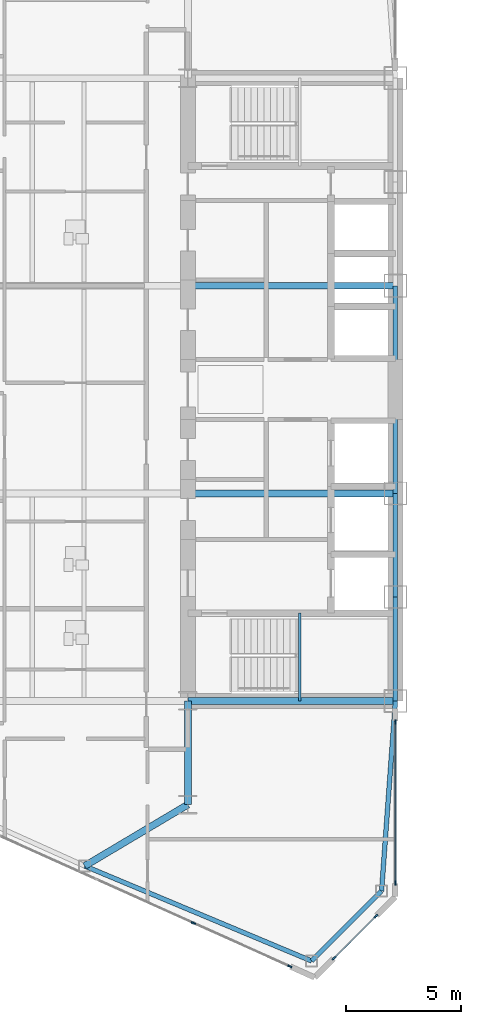
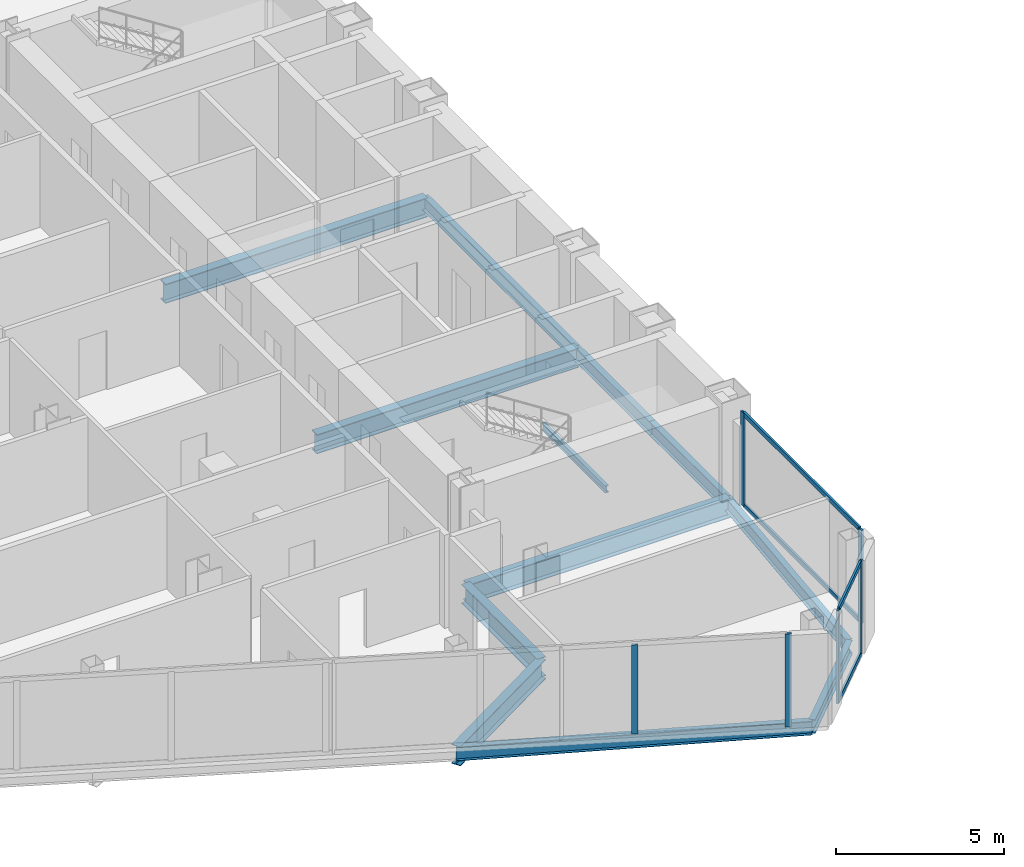
# One storey, part 6 of 27: 12 beams, 10 members, 3 elements without a shape of their own.
"""IFC4 building model written with IfcOpenShell, lengths in metres."""

from ifc_helpers import new_model, si_unit, direction, frame, origin, origin_2d, place, context, subcontext, project, spatial, rectangle, i_section, extrude, source, transform, mapped, material, layer, layer_set, material_profile, profile_set, type_object, type_shapes, element, aggregate, save


model = new_model("IFC4")

# Units and contexts
model_context = context("Model", 3, precision=1e-05, world=origin(), true_north=direction((0.0, 1.0)))
body_context = subcontext(model_context, "Body", "Model", "MODEL_VIEW")
ifc_project = project(units=[si_unit("LENGTHUNIT", "METRE"), si_unit("AREAUNIT", "SQUARE_METRE"), si_unit("VOLUMEUNIT", "CUBIC_METRE"), si_unit("PLANEANGLEUNIT", "RADIAN"), si_unit("MASSUNIT", "GRAM", prefix="KILO")], contexts=[model_context])

# Site, building, storey
site_placement = place(None, origin())
site = spatial("IfcSite", under=ifc_project, at=site_placement, CompositionType="ELEMENT")
building_placement = place(site_placement, origin())
building = spatial("IfcBuilding", under=site, at=building_placement, Name="Seokmaru Belvedere", CompositionType="ELEMENT")
storey_placement = place(building_placement, frame((0.0, 0.0, 72.89990234375)))
storey = spatial("IfcBuildingStorey", under=building, at=storey_placement, Name="L19", CompositionType="ELEMENT", Elevation=72.89990234375)

# Beams
ifc_material_1 = material(Name="Steel SM355 (355 MPa)", Category="steel")
ifc_material_profile_1 = material_profile(ifc_material_1, i_section(OverallWidth=0.199951171875, OverallDepth=0.5, WebThickness=0.010009765625, FlangeThickness=0.01611328125, at=origin_2d()), Name="H-500x200x10x16")
ifc_profile_set_1 = profile_set([ifc_material_profile_1], Name="Steel SM355 (355 MPa)")
beam_type_1 = type_object("IfcBeamType", Name="Perimeter Spandrel Beam H-500", PredefinedType="SPANDREL", material=ifc_profile_set_1)
shared_shape_1 = source(origin(), body_context, "Body", "SweptSolid", [
    extrude(i_section(OverallWidth=0.199951171875, OverallDepth=0.5, WebThickness=0.010009765625, FlangeThickness=0.01611328125, at=origin_2d()), origin(), (0.0, 0.0, 1.0), 4.5),
])
for number, where, z_axis, x_axis, name in (
    (1, (-27.5, -13.5, -0.469970703125), (0.0, 1.0, 0.0), (-1.0, 0.0, 0.0), "L19 W Portal Spine Spandrel 1"),
    (2, (-27.5, -9.0, -0.469970703125), (0.0, 1.0, 0.0), (-1.0, 0.0, 0.0), "L19 W Portal Spine Spandrel 2"),
):
    element("IfcBeam", number, at=place(storey_placement, frame(where, z_axis=z_axis, x_axis=x_axis)), inside=storey, type_object=beam_type_1, Name=name, PredefinedType="SPANDREL", context=body_context, shape_type="MappedRepresentation", body=[
        mapped(shared_shape_1, transform((0.0, 0.0, 0.0), scale=1.0)),
    ])
shared_shape_2 = source(origin(), body_context, "Body", "SweptSolid", [
    extrude(i_section(OverallWidth=0.199951171875, OverallDepth=0.5, WebThickness=0.010009765625, FlangeThickness=0.01611328125, at=origin_2d()), origin(), (0.0, 0.0, 1.0), 9.0),
])
beam_1_placement = place(storey_placement, frame((-27.5, -4.5, -0.469970703125), z_axis=(0.0, 1.0, 0.0), x_axis=(-1.0, 0.0, 0.0)))
element("IfcBeam", 3, at=beam_1_placement, inside=storey, type_object=beam_type_1, Name="L19 W Portal Spine Spandrel 3", PredefinedType="SPANDREL", context=body_context, shape_type="MappedRepresentation", body=[
    mapped(shared_shape_2, transform((0.0, 0.0, 0.0), scale=1.0)),
])
ifc_material_profile_2 = material_profile(ifc_material_1, i_section(OverallWidth=0.300048828125, OverallDepth=0.699951171875, WebThickness=0.012939453125, FlangeThickness=0.02392578125, at=origin_2d()), Name="H-700x300x13x24")
ifc_profile_set_2 = profile_set([ifc_material_profile_2], Name="Steel SM355 (355 MPa)")
beam_type_2 = type_object("IfcBeamType", Name="Primary Floor Girder H-700", PredefinedType="BEAM", material=ifc_profile_set_2)
shared_shape_3 = source(origin(), body_context, "Body", "SweptSolid", [
    extrude(i_section(OverallWidth=0.300048828125, OverallDepth=0.699951171875, WebThickness=0.012939453125, FlangeThickness=0.02392578125, at=origin_2d()), origin(), (0.0, 0.0, 1.0), 4.5),
])
beam_2_placement = place(storey_placement, frame((-36.5, -18.0, -0.56982421875), z_axis=(0.0, 1.0, 0.0), x_axis=(-1.0, 0.0, 0.0)))
element("IfcBeam", 4, at=beam_2_placement, inside=storey, type_object=beam_type_2, Name="L19 W Core Shoulder Girder S", PredefinedType="BEAM", context=body_context, shape_type="MappedRepresentation", body=[
    mapped(shared_shape_3, transform((0.0, 0.0, 0.0), scale=1.0)),
])
shared_shape_4 = source(origin(), body_context, "Body", "SweptSolid", [
    extrude(i_section(OverallWidth=0.300048828125, OverallDepth=0.699951171875, WebThickness=0.012939453125, FlangeThickness=0.02392578125, at=origin_2d()), origin(), (0.0, 0.0, 1.0), 9.0),
])
for number, where, z_axis, x_axis, name in (
    (5, (-36.5, -13.5, -0.56982421875), (1.0, 0.0, 0.0), (0.0, 1.0, 0.0), "L19 W Core Tie Girder 1"),
    (6, (-36.5, -4.5, -0.56982421875), (1.0, 0.0, 0.0), (0.0, 1.0, 0.0), "L19 W Core Tie Girder 2"),
    (7, (-36.5, 4.5, -0.56982421875), (1.0, 0.0, 0.0), (0.0, 1.0, 0.0), "L19 W Core Tie Girder 3"),
):
    element("IfcBeam", number, at=place(storey_placement, frame(where, z_axis=z_axis, x_axis=x_axis)), inside=storey, type_object=beam_type_2, Name=name, PredefinedType="BEAM", context=body_context, shape_type="MappedRepresentation", body=[
        mapped(shared_shape_4, transform((0.0, 0.0, 0.0), scale=1.0)),
    ])
shared_shape_5 = source(origin(), body_context, "Body", "SweptSolid", [
    extrude(i_section(OverallWidth=0.199951171875, OverallDepth=0.5, WebThickness=0.010009765625, FlangeThickness=0.01611328125, at=origin_2d()), origin(), (0.0, 0.0, 1.0), 10.66943359375),
])
beam_3_placement = place(storey_placement, frame((-31.13134765625, -24.782958984375, -0.469970703125), z_axis=(-0.922375393128, 0.386294750355, 0.0), x_axis=(-0.386294750355, -0.922375393128, 0.0)))
element("IfcBeam", 8, at=beam_3_placement, inside=storey, type_object=beam_type_1, Name="L19 W Faceted Flank Spandrel S-1", PredefinedType="SPANDREL", context=body_context, shape_type="MappedRepresentation", body=[
    mapped(shared_shape_5, transform((0.0, 0.0, 0.0), scale=1.0)),
])
shared_shape_6 = source(origin(), body_context, "Body", "SweptSolid", [
    extrude(i_section(OverallWidth=0.199951171875, OverallDepth=0.5, WebThickness=0.010009765625, FlangeThickness=0.01611328125, at=origin_2d()), origin(), (0.0, 0.0, 1.0), 4.287109375),
])
beam_4_placement = place(storey_placement, frame((-31.13134765625, -24.782958984375, -0.469970703125), z_axis=(0.707078306132, 0.707135255094, 0.0), x_axis=(-0.707135255094, 0.707078306132, 0.0)))
element("IfcBeam", 9, at=beam_4_placement, inside=storey, type_object=beam_type_1, Name="L19 W Shoulder Chamfer Spandrel S", PredefinedType="SPANDREL", context=body_context, shape_type="MappedRepresentation", body=[
    mapped(shared_shape_6, transform((0.0, 0.0, 0.0), scale=1.0)),
])
shared_shape_7 = source(origin(), body_context, "Body", "SweptSolid", [
    extrude(i_section(OverallWidth=0.199951171875, OverallDepth=0.5, WebThickness=0.010009765625, FlangeThickness=0.01611328125, at=origin_2d()), origin(), (0.0, 0.0, 1.0), 8.273193359375),
])
type_shapes(beam_type_1, [shared_shape_1, shared_shape_2, shared_shape_5, shared_shape_6, shared_shape_7])
beam_5_placement = place(storey_placement, frame((-28.10009765625, -21.75146484375, -0.469970703125), z_axis=(0.072534628348, 0.99736589459, 0.0), x_axis=(-0.99736589459, 0.072534628348, 0.0)))
element("IfcBeam", 10, at=beam_5_placement, inside=storey, type_object=beam_type_1, Name="L19 W Shoulder Spine Spandrel S", PredefinedType="SPANDREL", context=body_context, shape_type="MappedRepresentation", body=[
    mapped(shared_shape_7, transform((0.0, 0.0, 0.0), scale=1.0)),
])
shared_shape_8 = source(origin(), body_context, "Body", "SweptSolid", [
    extrude(i_section(OverallWidth=0.300048828125, OverallDepth=0.699951171875, WebThickness=0.012939453125, FlangeThickness=0.02392578125, at=origin_2d()), origin(), (0.0, 0.0, 1.0), 5.20458984375),
])
type_shapes(beam_type_2, [shared_shape_3, shared_shape_4, shared_shape_8])
beam_6_placement = place(storey_placement, frame((-40.97265625, -20.661376953125, -0.56982421875), z_axis=(0.859370434188, 0.511353553662, 0.0), x_axis=(-0.511353553662, 0.859370434188, 0.0)))
element("IfcBeam", 11, at=beam_6_placement, inside=storey, type_object=beam_type_2, Name="L19 W Flank Radial Floor Girder S-1", PredefinedType="BEAM", context=body_context, shape_type="MappedRepresentation", body=[
    mapped(shared_shape_8, transform((0.0, 0.0, 0.0), scale=1.0)),
])

# Curtain wall, members
ifc_material_2 = material(Name="Bronze Triple Insulating Glass", Category="glass")
ifc_layer = layer(ifc_material_2, 0.195068359375)
ifc_layer_set = layer_set([ifc_layer], Name="Bronze Triple Insulating Glass")
curtain_wall_type = type_object("IfcCurtainWallType", Name="Lower-Mid Tapered Curtain Wall System CW-3", PredefinedType="NOTDEFINED", material=ifc_layer_set)
curtain_wall_1_placement = place(storey_placement, origin())
curtain_wall_1 = element("IfcCurtainWall", 12, at=curtain_wall_1_placement, inside=storey, type_object=curtain_wall_type, Name="L19 Curtain Wall WSP_1", PredefinedType="NOTDEFINED")
ifc_material_3 = material(Name="Anodised Bronze Aluminium", Category="aluminium")
ifc_material_profile_3 = material_profile(ifc_material_3, rectangle(XDim=0.070068359375, YDim=0.1650390625, at=origin_2d()), Name="CW-T-70x165")
ifc_profile_set_3 = profile_set([ifc_material_profile_3], Name="Anodised Bronze Aluminium")
member_type_1 = type_object("IfcMemberType", Name="Bronze Unitised Transom 70x165", PredefinedType="USERDEFINED", material=ifc_profile_set_3)
shared_shape_9 = source(origin(), body_context, "Body", "SweptSolid", [
    extrude(rectangle(XDim=0.070068359375, YDim=0.1650390625, at=origin_2d()), origin(), (0.0, 0.0, 1.0), 6.91015625),
])
member_1_placement = place(storey_placement, frame((-27.5, -21.360107421875, 0.03515625), z_axis=(0.0, 1.0, 0.0), x_axis=(-1.0, 0.0, 0.0)))
member_1 = element("IfcMember", 13, at=member_1_placement, type_object=member_type_1, Name="CW:L19:WSP_1 Continuous Transom 1", ObjectType="TRANSOM", PredefinedType="USERDEFINED", context=body_context, shape_type="MappedRepresentation", body=[
    mapped(shared_shape_9, transform((0.0, 0.0, 0.0), scale=1.0)),
])
member_2_placement = place(storey_placement, frame((-27.5, -21.360107421875, 3.34521484375), z_axis=(0.0, 1.0, 0.0), x_axis=(-1.0, 0.0, 0.0)))
member_2 = element("IfcMember", 14, at=member_2_placement, type_object=member_type_1, Name="CW:L19:WSP_1 Continuous Transom 2", ObjectType="TRANSOM", PredefinedType="USERDEFINED", context=body_context, shape_type="MappedRepresentation", body=[
    mapped(shared_shape_9, transform((0.0, 0.0, 0.0), scale=1.0)),
])

curtain_wall_2_placement = place(storey_placement, origin())
curtain_wall_2 = element("IfcCurtainWall", 15, at=curtain_wall_2_placement, inside=storey, type_object=curtain_wall_type, Name="L19 Curtain Wall WF6", PredefinedType="NOTDEFINED")
shared_shape_10 = source(origin(), body_context, "Body", "SweptSolid", [
    extrude(rectangle(XDim=0.070068359375, YDim=0.1650390625, at=origin_2d()), origin(), (0.0, 0.0, 1.0), 2.509521484375),
])
type_shapes(member_type_1, [shared_shape_9, shared_shape_10])
member_3_placement = place(storey_placement, frame((-30.13720703125, -24.63720703125, 0.03515625), z_axis=(0.707106781187, 0.707106781187, 0.0), x_axis=(-0.707106781187, 0.707106781187, 0.0)))
member_3 = element("IfcMember", 16, at=member_3_placement, type_object=member_type_1, Name="CW:L19:WF6 Continuous Transom 1", ObjectType="TRANSOM", PredefinedType="USERDEFINED", context=body_context, shape_type="MappedRepresentation", body=[
    mapped(shared_shape_10, transform((0.0, 0.0, 0.0), scale=1.0)),
])
member_4_placement = place(storey_placement, frame((-30.13720703125, -24.63720703125, 3.34521484375), z_axis=(0.707106781187, 0.707106781187, 0.0), x_axis=(-0.707106781187, 0.707106781187, 0.0)))
member_4 = element("IfcMember", 17, at=member_4_placement, type_object=member_type_1, Name="CW:L19:WF6 Continuous Transom 2", ObjectType="TRANSOM", PredefinedType="USERDEFINED", context=body_context, shape_type="MappedRepresentation", body=[
    mapped(shared_shape_10, transform((0.0, 0.0, 0.0), scale=1.0)),
])

# Curtain wall, member
curtain_wall_3_placement = place(storey_placement, origin())
curtain_wall_3 = element("IfcCurtainWall", 18, at=curtain_wall_3_placement, inside=storey, type_object=curtain_wall_type, Name="L19 Curtain Wall WF5", PredefinedType="NOTDEFINED")
ifc_material_profile_4 = material_profile(ifc_material_3, rectangle(XDim=0.070068359375, YDim=0.195068359375, at=origin_2d()), Name="CW-M-70x195")
ifc_profile_set_4 = profile_set([ifc_material_profile_4], Name="Anodised Bronze Aluminium")
member_type_2 = type_object("IfcMemberType", Name="Bronze Unitised Mullion 70x195", PredefinedType="MULLION", material=ifc_profile_set_4)
shared_shape_11 = source(origin(), body_context, "Body", "SweptSolid", [
    extrude(rectangle(XDim=0.070068359375, YDim=0.195068359375, at=origin_2d()), origin(), (0.0, 0.0, 1.0), 3.239990234375),
])
member_5_placement = place(storey_placement, frame((-36.260009765625, -23.133056640625, 0.070068359375), z_axis=(0.0, 0.0, 1.0), x_axis=(0.41036554765, 0.91192111353, 0.0)))
member_5 = element("IfcMember", 19, at=member_5_placement, type_object=member_type_2, Name="CW:L19:WF5 Mullion 9", PredefinedType="MULLION", context=body_context, shape_type="MappedRepresentation", body=[
    mapped(shared_shape_11, transform((0.0, 0.0, 0.0), scale=1.0)),
])

# Member
shared_shape_12 = source(origin(), body_context, "Body", "SweptSolid", [
    extrude(rectangle(XDim=0.070068359375, YDim=0.195068359375, at=origin_2d()), origin(), (0.0, 0.0, 1.0), 3.380126953125),
])
type_shapes(member_type_2, [shared_shape_11, shared_shape_12])
member_6_placement = place(storey_placement, frame((-27.5, -21.39501953125, 0.0), z_axis=(0.0, 0.0, 1.0), x_axis=(-1.0, 0.0, 0.0)))
member_6 = element("IfcMember", 20, at=member_6_placement, type_object=member_type_2, Name="CW:L19:WSP_1 Mullion 1", PredefinedType="MULLION", context=body_context, shape_type="MappedRepresentation", body=[
    mapped(shared_shape_12, transform((0.0, 0.0, 0.0), scale=1.0)),
])

member_7_placement = place(storey_placement, frame((-27.5, -14.4150390625, 0.0), z_axis=(0.0, 0.0, 1.0), x_axis=(-1.0, 0.0, 0.0)))
member_7 = element("IfcMember", 21, at=member_7_placement, type_object=member_type_2, Name="CW:L19:WSP_1 Mullion 2", PredefinedType="MULLION", context=body_context, shape_type="MappedRepresentation", body=[
    mapped(shared_shape_12, transform((0.0, 0.0, 0.0), scale=1.0)),
])

aggregate(curtain_wall_1, [member_6, member_7, member_1, member_2])

member_8_placement = place(storey_placement, frame((-32.08056640625, -25.013671875, 0.0), z_axis=(0.0, 0.0, 1.0), x_axis=(0.41036554765, 0.91192111353, 0.0)))
member_8 = element("IfcMember", 22, at=member_8_placement, type_object=member_type_2, Name="CW:L19:WF5 Mullion 10", PredefinedType="MULLION", context=body_context, shape_type="MappedRepresentation", body=[
    mapped(shared_shape_12, transform((0.0, 0.0, 0.0), scale=1.0)),
])

aggregate(curtain_wall_3, [member_5, member_8])

member_9_placement = place(storey_placement, frame((-30.162109375, -24.662109375, 0.0), z_axis=(0.0, 0.0, 1.0), x_axis=(-0.707106781187, 0.707106781187, 0.0)))
member_9 = element("IfcMember", 23, at=member_9_placement, type_object=member_type_2, Name="CW:L19:WF6 Mullion 1", PredefinedType="MULLION", context=body_context, shape_type="MappedRepresentation", body=[
    mapped(shared_shape_12, transform((0.0, 0.0, 0.0), scale=1.0)),
])

member_10_placement = place(storey_placement, frame((-28.337890625, -22.837890625, 0.0), z_axis=(0.0, 0.0, 1.0), x_axis=(-0.707106781187, 0.707106781187, 0.0)))
member_10 = element("IfcMember", 24, at=member_10_placement, type_object=member_type_2, Name="CW:L19:WF6 Mullion 2", PredefinedType="MULLION", context=body_context, shape_type="MappedRepresentation", body=[
    mapped(shared_shape_12, transform((0.0, 0.0, 0.0), scale=1.0)),
])

aggregate(curtain_wall_2, [member_9, member_10, member_3, member_4])

# Beam
ifc_material_profile_5 = material_profile(ifc_material_1, i_section(OverallWidth=0.125, OverallDepth=0.25, WebThickness=0.006103515625, FlangeThickness=0.009033203125, at=origin_2d()), Name="H-250x125x6x9")
ifc_profile_set_5 = profile_set([ifc_material_profile_5], Name="Steel SM355 (355 MPa)")
beam_type_3 = type_object("IfcBeamType", Name="Stair Mid-Landing Support Beam H-250", PredefinedType="JOIST", material=ifc_profile_set_5)
shared_shape_13 = source(origin(), body_context, "Body", "SweptSolid", [
    extrude(i_section(OverallWidth=0.125, OverallDepth=0.25, WebThickness=0.006103515625, FlangeThickness=0.009033203125, at=origin_2d()), origin(), (0.0, 0.0, 1.0), 3.800048828125),
])
type_shapes(beam_type_3, [shared_shape_13])
beam_7_placement = place(storey_placement, frame((-31.64990234375, -13.5, 1.47509765625), z_axis=(0.0, 1.0, 0.0), x_axis=(-1.0, 0.0, 0.0)))
element("IfcBeam", 25, at=beam_7_placement, inside=storey, type_object=beam_type_3, Name="L19 Stair ST-W1 Mid-Landing Support Beam 1", PredefinedType="JOIST", context=body_context, shape_type="MappedRepresentation", body=[
    mapped(shared_shape_13, transform((0.0, 0.0, 0.0), scale=1.0)),
])

save(model, "model.ifc")
